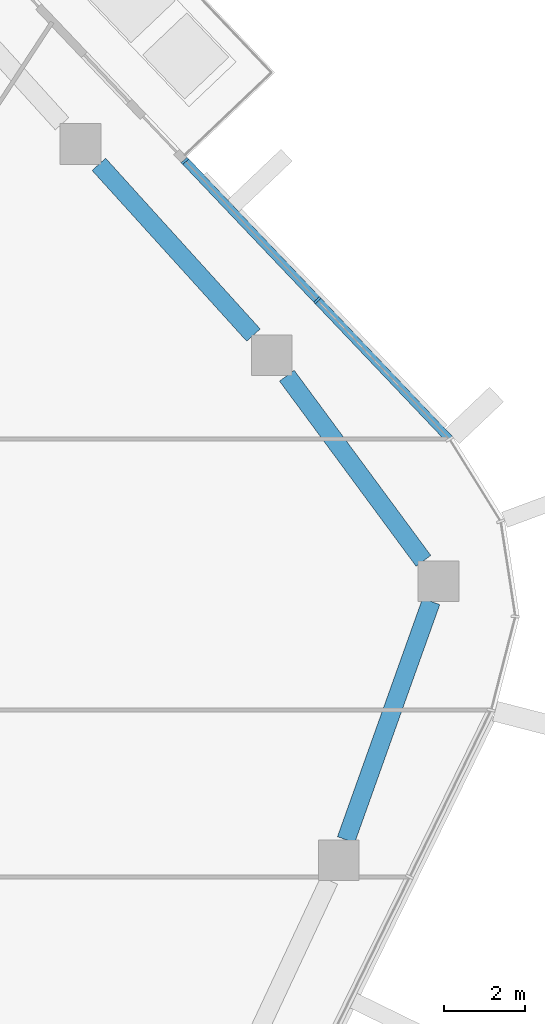
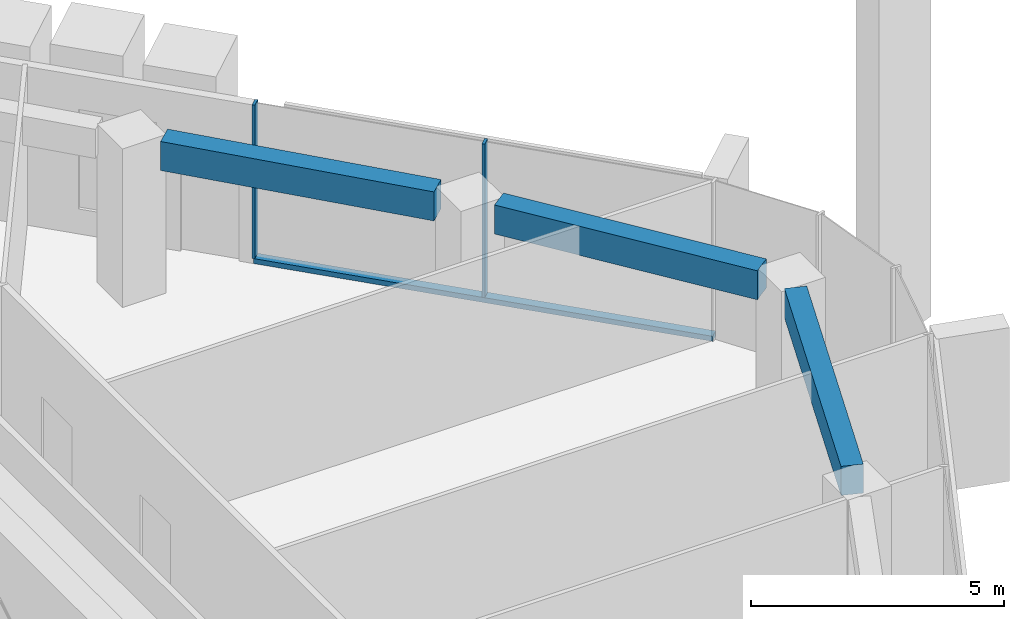
# One storey, part 8 of 24: 3 beams, 3 members, 1 element without a shape of its own.
"""IFC4 building model written with IfcOpenShell, lengths in metres."""

from ifc_helpers import new_model, si_unit, direction, frame, origin, origin_2d, place, context, subcontext, project, spatial, rectangle, extrude, material, layer, layer_set, material_profile, profile_set, type_object, element, aggregate, save


model = new_model("IFC4")

# Units and contexts
model_context = context("Model", 3, precision=1e-05, world=origin(), true_north=direction((0.0, 1.0)))
body_context = subcontext(model_context, "Body", "Model", "MODEL_VIEW")
ifc_project = project(units=[si_unit("LENGTHUNIT", "METRE"), si_unit("AREAUNIT", "SQUARE_METRE"), si_unit("VOLUMEUNIT", "CUBIC_METRE"), si_unit("PLANEANGLEUNIT", "RADIAN"), si_unit("MASSUNIT", "GRAM", prefix="KILO")], contexts=[model_context])

# Site, building, storey
site_placement = place(None, origin())
site = spatial("IfcSite", under=ifc_project, at=site_placement, CompositionType="ELEMENT")
building_placement = place(site_placement, origin())
building = spatial("IfcBuilding", under=site, at=building_placement, Name="Dongbaek Canopy Tower", CompositionType="ELEMENT")
storey_placement = place(building_placement, frame((0.0, 0.0, 332.0)))
storey = spatial("IfcBuildingStorey", under=building, at=storey_placement, Name="L71", CompositionType="ELEMENT", Elevation=332.0)

# Curtain wall, members
ifc_material_1 = material(Name="Aluminium 6063-T6 pale anodised", Category="aluminium")
ifc_layer = layer(ifc_material_1, 0.199951171875)
ifc_layer_set = layer_set([ifc_layer], Name="CW-1 unitised tower curtain wall")
curtain_wall_type = type_object("IfcCurtainWallType", Name="CW-1 unitised tower curtain wall", PredefinedType="NOTDEFINED", material=ifc_layer_set)
curtain_wall_placement = place(storey_placement, origin())
curtain_wall = element("IfcCurtainWall", 1, at=curtain_wall_placement, inside=storey, type_object=curtain_wall_type, Name="CW-1 curtain wall F0.1", PredefinedType="NOTDEFINED")
ifc_material_2 = material(Name="Aluminium 6063-T6 pale anodised", Category="aluminium")
ifc_material_profile_1 = material_profile(ifc_material_2, rectangle(XDim=0.199951171875, YDim=0.06005859375, at=origin_2d()), Name="CW-1 mullion 60 x 200")
ifc_profile_set_1 = profile_set([ifc_material_profile_1], Name="Aluminium 6063-T6 pale anodised")
member_type_1 = type_object("IfcMemberType", Name="CW-1 mullion 60 x 200", PredefinedType="MULLION", material=ifc_profile_set_1)
member_1_placement = place(storey_placement, frame((27.823486328125, 13.61767578125, 0.1201171875), z_axis=(0.0, 0.0, 1.0), x_axis=(0.724939653857, 0.688812382486, 0.0)))
member_1 = element("IfcMember", 2, at=member_1_placement, type_object=member_type_1, Name="CW-1 mullion F0.1.2", PredefinedType="MULLION", context=body_context, shape_type="SweptSolid", body=[
    extrude(rectangle(XDim=0.199951171875, YDim=0.06005859375, at=origin_2d()), origin(), (0.0, 0.0, 1.0), 3.699951171875),
])
member_2_placement = place(storey_placement, frame((24.5634765625, 17.048583984375, 0.1201171875), z_axis=(0.0, 0.0, 1.0), x_axis=(0.724939653857, 0.688812382486, 0.0)))
member_2 = element("IfcMember", 3, at=member_2_placement, type_object=member_type_1, Name="CW-1 mullion F0.1.3", PredefinedType="MULLION", context=body_context, shape_type="SweptSolid", body=[
    extrude(rectangle(XDim=0.199951171875, YDim=0.06005859375, at=origin_2d()), origin(), (0.0, 0.0, 1.0), 3.699951171875),
])
ifc_material_3 = material(Name="Aluminium 6063-T6 pale anodised", Category="aluminium")
ifc_material_profile_2 = material_profile(ifc_material_3, rectangle(XDim=0.199951171875, YDim=0.1201171875, at=origin_2d()), Name="CW-1 transom 120 x 200")
ifc_profile_set_2 = profile_set([ifc_material_profile_2], Name="Aluminium 6063-T6 pale anodised")
member_type_2 = type_object("IfcMemberType", Name="CW-1 transom 120 x 200", PredefinedType="USERDEFINED", material=ifc_profile_set_2)
member_3_placement = place(storey_placement, frame((31.076416015625, 10.1943359375, 0.06005859375), z_axis=(-0.688827497818, 0.724925291496, 0.0), x_axis=(-0.724925291496, -0.688827497818, 0.0)))
member_3 = element("IfcMember", 4, at=member_3_placement, type_object=member_type_2, Name="CW-1 transom F0.1.1", ObjectType="TRANSOM", PredefinedType="USERDEFINED", context=body_context, shape_type="SweptSolid", body=[
    extrude(rectangle(XDim=0.199951171875, YDim=0.1201171875, at=origin_2d()), origin(), (0.0, 0.0, 1.0), 9.455078125),
])
aggregate(curtain_wall, [member_1, member_2, member_3])

# Beams
ifc_material_4 = material(Name="Concrete C60", Category="concrete")
ifc_material_profile_3 = material_profile(ifc_material_4, rectangle(XDim=0.449951171875, YDim=0.699951171875, at=origin_2d()), Name="RC EDGE BEAM 450x700 C60")
ifc_profile_set_3 = profile_set([ifc_material_profile_3], Name="Concrete C60")
beam_type = type_object("IfcBeamType", Name="RC EDGE BEAM 450x700 C60", PredefinedType="BEAM", material=ifc_profile_set_3)
beam_1_placement = place(storey_placement, frame((22.442626953125, 16.9619140625, 3.469970703125), z_axis=(0.671227680473, -0.741251240112, 0.0), x_axis=(0.741251240112, 0.671227680473, 0.0)))
element("IfcBeam", 5, at=beam_1_placement, inside=storey, type_object=beam_type, Name="EDGEBEAM:L71:19", PredefinedType="BEAM", context=body_context, shape_type="SweptSolid", body=[
    extrude(rectangle(XDim=0.449951171875, YDim=0.699951171875, at=origin_2d()), origin(), (0.0, 0.0, 1.0), 5.672607421875),
])
beam_2_placement = place(storey_placement, frame((27.072021484375, 11.757080078125, 3.469970703125), z_axis=(0.593735402363, -0.804660345724, 0.0), x_axis=(0.804660345724, 0.593735402363, 0.0)))
element("IfcBeam", 6, at=beam_2_placement, inside=storey, type_object=beam_type, Name="EDGEBEAM:L71:20", PredefinedType="BEAM", context=body_context, shape_type="SweptSolid", body=[
    extrude(rectangle(XDim=0.449951171875, YDim=0.699951171875, at=origin_2d()), origin(), (0.0, 0.0, 1.0), 5.665771484375),
])
beam_3_placement = place(storey_placement, frame((30.626220703125, 6.197998046875, 3.469970703125), z_axis=(-0.336443121865, -0.941703788752, 0.0), x_axis=(0.941703788752, -0.336443121865, 0.0)))
element("IfcBeam", 7, at=beam_3_placement, inside=storey, type_object=beam_type, Name="EDGEBEAM:L71:21", PredefinedType="BEAM", context=body_context, shape_type="SweptSolid", body=[
    extrude(rectangle(XDim=0.449951171875, YDim=0.699951171875, at=origin_2d()), origin(), (0.0, 0.0, 1.0), 6.231201171875),
])

save(model, "model.ifc")
